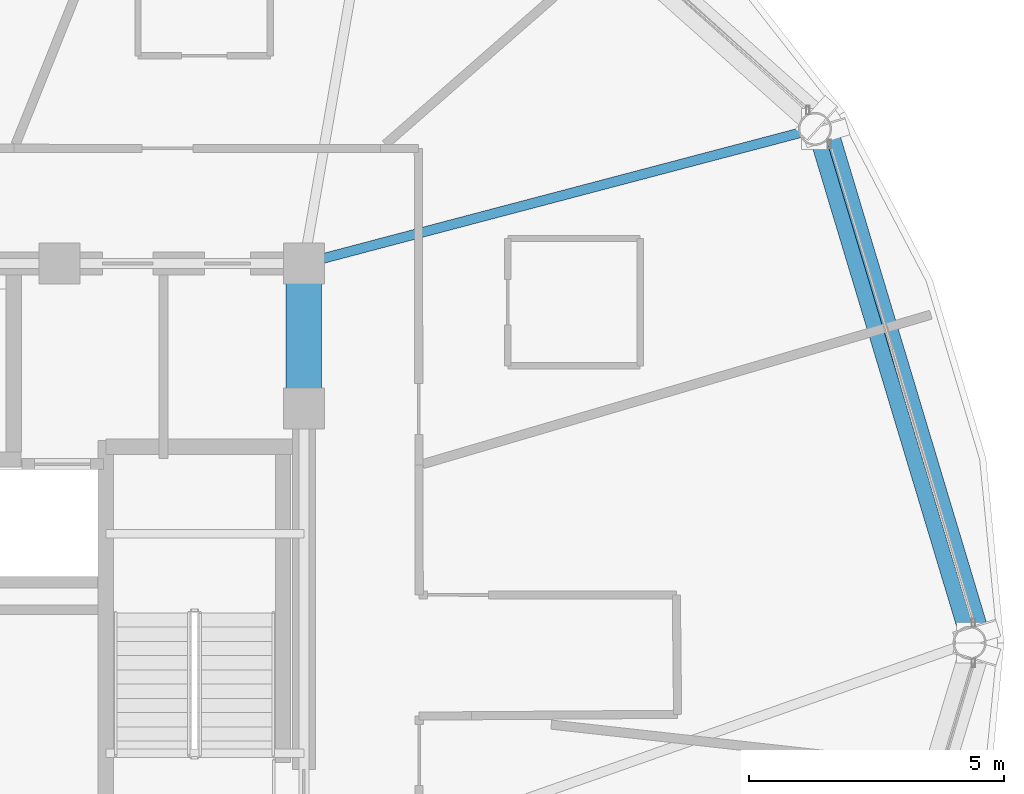
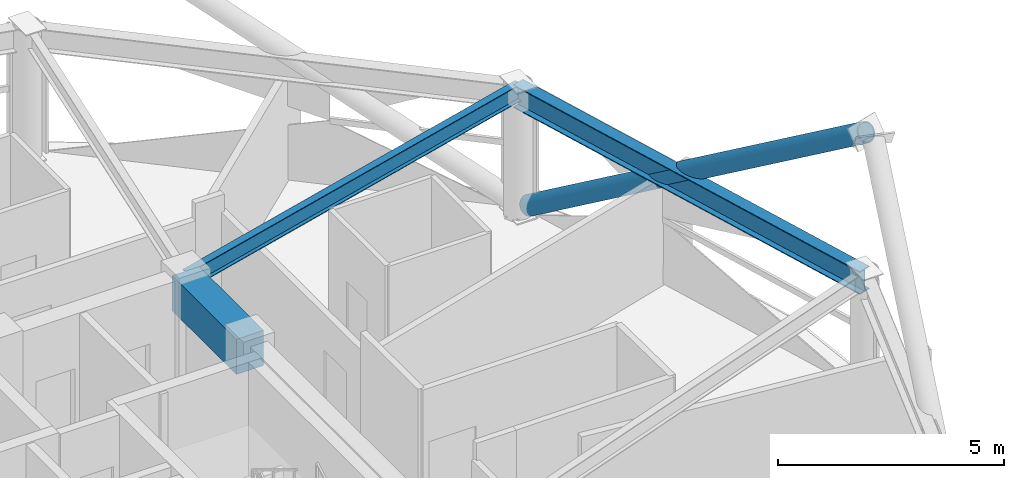
# One storey, part 15 of 30: 3 beams, 1 member.
"""IFC4 building model written with IfcOpenShell, lengths in metres."""

import ifcopenshell
import ifcopenshell.guid

model = None  # the IFC model being written
_history = None  # IfcOwnerHistory: only IFC2X3 demands one
_inside = {}  # id of a spatial element -> (the spatial element, [elements in it])
_under = {}  # id of a project, library or spatial element -> (it, [spatial elements below it])
_declared = {}  # id of a project -> (the project, [libraries it declares])
_typed = {}  # id of a type object -> (the type object, [elements of that type])
_made_of = {}  # id of a material, layer set ... -> (it, [elements and type objects made of it])


def new_model(schema):
    """Start an empty IFC model of exactly this schema.

    Asked for "IFC4X3", IfcOpenShell would pick the latest addendum, in which some entities
    have other attributes; the version numbers below select the first issue.
    IFC2X3 requires an IfcOwnerHistory on every rooted entity: one is made here for all.
    """
    global model, _history
    if schema == "IFC4X3":
        model = ifcopenshell.file(schema_version=(4, 3, 0, 0))
    else:
        model = ifcopenshell.file(schema=schema)
    _inside.clear()
    _under.clear()
    _declared.clear()
    _typed.clear()
    _made_of.clear()
    _history = None
    if model.schema == "IFC2X3":
        org = make("IfcOrganization", Name="unknown")
        user = make(
            "IfcPersonAndOrganization",
            ThePerson=make("IfcPerson", FamilyName="unknown"),
            TheOrganization=org,
        )
        app = make(
            "IfcApplication",
            ApplicationDeveloper=org,
            Version="unknown",
            ApplicationFullName="unknown",
            ApplicationIdentifier="unknown",
        )
        _history = make(
            "IfcOwnerHistory",
            OwningUser=user,
            OwningApplication=app,
            ChangeAction="ADDED",
            CreationDate=0,
        )
    return model


def make(cls, **values):
    """One entity of the class cls with the attributes given. An attribute that is None is left unset."""
    return model.create_entity(
        cls, **{name: value for name, value in values.items() if value is not None}
    )


def rooted(cls, **values):
    """An entity with a GlobalId (a new one), such as an element, a storey or a relation."""
    return make(cls, GlobalId=ifcopenshell.guid.new(), OwnerHistory=_history, **values)


def si_unit(unit_type, name, prefix=None):
    """IfcSIUnit, for example si_unit("LENGTHUNIT", "METRE", prefix="MILLI")."""
    return make("IfcSIUnit", UnitType=unit_type, Prefix=prefix, Name=name)


def assignment(units):
    """IfcUnitAssignment: the units of a project."""
    return None if units is None else make("IfcUnitAssignment", Units=units)


def point(xyz):
    """IfcCartesianPoint."""
    return None if xyz is None else make("IfcCartesianPoint", Coordinates=xyz)


def direction(xyz):
    """IfcDirection."""
    return None if xyz is None else make("IfcDirection", DirectionRatios=xyz)


def frame(location, z_axis=None, x_axis=None):
    """IfcAxis2Placement3D, a coordinate frame: its origin and axes. An axis left out is left unset."""
    return make(
        "IfcAxis2Placement3D",
        Location=point(location),
        Axis=direction(z_axis),
        RefDirection=direction(x_axis),
    )


def frame_2d(location, x_axis=None):
    """IfcAxis2Placement2D, a coordinate frame in the plane: its origin and x axis."""
    return make(
        "IfcAxis2Placement2D", Location=point(location), RefDirection=direction(x_axis)
    )


def origin():
    """The frame at (0, 0, 0) with its axes left unset."""
    return frame((0.0, 0.0, 0.0))


def origin_2d():
    """The frame at (0, 0) in the plane with its x axis left unset."""
    return frame_2d((0.0, 0.0))


def place(relative_to, where):
    """IfcLocalPlacement: puts the frame where relative to a parent placement (None: the world)."""
    return make(
        "IfcLocalPlacement", PlacementRelTo=relative_to, RelativePlacement=where
    )


def context(
    kind, dimensions, precision=None, world=None, true_north=None, identifier=None
):
    """IfcGeometricRepresentationContext, for example the 3D "Model" context."""
    return make(
        "IfcGeometricRepresentationContext",
        ContextIdentifier=identifier,
        ContextType=kind,
        CoordinateSpaceDimension=dimensions,
        Precision=precision,
        WorldCoordinateSystem=world,
        TrueNorth=true_north,
    )


def subcontext(parent, identifier, kind, view, scale=None):
    """IfcGeometricRepresentationSubContext, for example "Body" below "Model"."""
    return make(
        "IfcGeometricRepresentationSubContext",
        ContextIdentifier=identifier,
        ContextType=kind,
        ParentContext=parent,
        TargetScale=scale,
        TargetView=view,
    )


def project(units=None, contexts=None):
    """IfcProject with its units and contexts."""
    return rooted(
        "IfcProject",
        Name="project",
        RepresentationContexts=contexts,
        UnitsInContext=assignment(units),
    )


def spatial(cls, under=None, at=None, **own):
    """A site, building, storey or space (cls), placed at a placement, below another one or the project."""
    s = rooted(cls, ObjectPlacement=at, **own)
    if under is not None:
        _under.setdefault(under.id(), (under, []))[1].append(s)
    return s


def profile(cls, at=None, kind="AREA", **sizes):
    """A parametric profile (cls). Its sizes go by their IFC names, for example OverallWidth=200.0."""
    return make(cls, ProfileType=kind, Position=at, **sizes)


def rectangle(**sizes):
    """IfcRectangleProfileDef."""
    return profile("IfcRectangleProfileDef", **sizes)


def hollow_circle(**sizes):
    """IfcCircleHollowProfileDef."""
    return profile("IfcCircleHollowProfileDef", **sizes)


def i_section(**sizes):
    """IfcIShapeProfileDef."""
    return profile("IfcIShapeProfileDef", **sizes)


def extrude(swept, where, along, depth):
    """IfcExtrudedAreaSolid: the profile swept, set in the frame where, extruded along a direction by depth."""
    return make(
        "IfcExtrudedAreaSolid",
        SweptArea=swept,
        Position=where,
        ExtrudedDirection=direction(along),
        Depth=depth,
    )


def shape(context_of_items, identifier, shape_type, items):
    """IfcShapeRepresentation: the items that make up one representation, for example the "Body"."""
    return make(
        "IfcShapeRepresentation",
        ContextOfItems=context_of_items,
        RepresentationIdentifier=identifier,
        RepresentationType=shape_type,
        Items=items,
    )


def material(Name=None, Category=None):
    """IfcMaterial."""
    return make("IfcMaterial", Name=Name, Category=Category)


def material_profile(
    of_material, cross_section, Name=None, Category=None, Priority=None
):
    """IfcMaterialProfile: a cross section and its material."""
    return make(
        "IfcMaterialProfile",
        Name=Name,
        Material=of_material,
        Profile=cross_section,
        Priority=Priority,
        Category=Category,
    )


def profile_set(profiles, Name=None, composite=None):
    """IfcMaterialProfileSet."""
    return make(
        "IfcMaterialProfileSet",
        Name=Name,
        MaterialProfiles=profiles,
        CompositeProfile=composite,
    )


def made_of(thing, what):
    """Note that an element or type object is made of a material, layer set ...; save() writes the relation."""
    if what is not None:
        _made_of.setdefault(what.id(), (what, []))[1].append(thing)
    return thing


def type_object(cls, material=None, **own):
    """A type object (cls), such as IfcWallType, which elements share."""
    return made_of(rooted(cls, **own), material)


def element(
    cls,
    number,
    at=None,
    inside=None,
    cuts=None,
    type_object=None,
    material=None,
    context=None,
    identifier="Body",
    shape_type=None,
    held_by="IfcProductDefinitionShape",
    body=None,
    shapes=None,
    **own,
):
    """One element of the class cls, such as IfcWall. Its Tag is "e" and its number.

    at: its placement. inside: the storey or other place that contains it. cuts: it is an
    opening in that element (IfcRelVoidsElement). A single representation is given by context,
    identifier, shape_type and body (its items); several are given by shapes. held_by: the class
    of the entity that holds the representations. save() writes the other relations.
    """
    e = rooted(cls, Tag="e%d" % number, ObjectPlacement=at, **own)
    if body is not None:
        shapes = [shape(context, identifier, shape_type, body)]
    if shapes is not None:
        e.Representation = make(held_by, Representations=shapes)
    if inside is not None:
        _inside.setdefault(inside.id(), (inside, []))[1].append(e)
    if cuts is not None:
        rooted(
            "IfcRelVoidsElement", RelatingBuildingElement=cuts, RelatedOpeningElement=e
        )
    if type_object is not None:
        _typed.setdefault(type_object.id(), (type_object, []))[1].append(e)
    return made_of(e, material)


def aggregate(whole, parts):
    """IfcRelAggregates: a whole, such as a stair, and the parts it consists of."""
    return rooted("IfcRelAggregates", RelatingObject=whole, RelatedObjects=parts)


def save(model, path):
    """Write the relations noted so far, then the file.

    IfcRelAggregates (storeys below a building ...), IfcRelContainedInSpatialStructure (elements
    in a storey), IfcRelDefinesByType, IfcRelAssociatesMaterial and IfcRelDeclares: one each for
    every whole, place, type object, material and project.
    """
    for whole, parts in _under.values():
        aggregate(whole, parts)
    for where, things in _inside.values():
        rooted(
            "IfcRelContainedInSpatialStructure",
            RelatedElements=things,
            RelatingStructure=where,
        )
    for kind, things in _typed.values():
        rooted("IfcRelDefinesByType", RelatedObjects=things, RelatingType=kind)
    for what, things in _made_of.values():
        rooted("IfcRelAssociatesMaterial", RelatedObjects=things, RelatingMaterial=what)
    for by, libraries in _declared.values():
        rooted("IfcRelDeclares", RelatingContext=by, RelatedDefinitions=libraries)
    model.write(path)


model = new_model("IFC4")

# Units and contexts
model_context = context("Model", 3, precision=1e-05, world=origin(), true_north=direction((0.0, 1.0)))
body_context = subcontext(model_context, "Body", "Model", "MODEL_VIEW")
ifc_project = project(units=[si_unit("LENGTHUNIT", "METRE"), si_unit("AREAUNIT", "SQUARE_METRE"), si_unit("VOLUMEUNIT", "CUBIC_METRE"), si_unit("PLANEANGLEUNIT", "RADIAN"), si_unit("MASSUNIT", "GRAM", prefix="KILO")], contexts=[model_context])

# Site, building, storey
site_placement = place(None, origin())
site = spatial("IfcSite", under=ifc_project, at=site_placement, CompositionType="ELEMENT")
building_placement = place(site_placement, origin())
building = spatial("IfcBuilding", under=site, at=building_placement, Name="Vantalir Tower", CompositionType="ELEMENT")
storey_placement = place(building_placement, frame((0.0, 0.0, 189.89990234375)))
storey = spatial("IfcBuildingStorey", under=building, at=storey_placement, Name="L47", CompositionType="ELEMENT", Elevation=189.89990234375)

# Beams
ifc_material_1 = material(Name="Concrete C60/75", Category="concrete")
ifc_material_profile_1 = material_profile(ifc_material_1, rectangle(XDim=0.699951171875, YDim=0.949951171875, at=origin_2d()), Name="Concrete C60/75")
ifc_profile_set_1 = profile_set([ifc_material_profile_1], Name="Concrete C60/75")
beam_type_1 = type_object("IfcBeamType", Name="BM-CB-700x950", PredefinedType="USERDEFINED", material=ifc_profile_set_1)
beam_1_placement = place(storey_placement, frame((41.10009765625, 29.60009765625, 3.09521484375), z_axis=(0.0, 1.0, 0.0), x_axis=(-1.0, 0.0, 0.0)))
element("IfcBeam", 1, at=beam_1_placement, inside=storey, type_object=beam_type_1, Name="L47 Core Coupling Girder 07", ObjectType="GIRDER", PredefinedType="USERDEFINED", context=body_context, shape_type="SweptSolid", body=[
    extrude(rectangle(XDim=0.699951171875, YDim=0.949951171875, at=origin_2d()), origin(), (0.0, 0.0, 1.0), 2.849853515625),
])
ifc_material_2 = material(Name="Steel S355", Category="steel")
ifc_material_profile_2 = material_profile(ifc_material_2, i_section(OverallWidth=0.19189453125, OverallDepth=0.462890625, WebThickness=0.010498046875, FlangeThickness=0.017578125, at=origin_2d()), Name="Steel S355")
ifc_profile_set_2 = profile_set([ifc_material_profile_2], Name="Steel S355")
beam_type_2 = type_object("IfcBeamType", Name="BM-RB-457x191", PredefinedType="BEAM", material=ifc_profile_set_2)
beam_2_placement = place(storey_placement, frame((51.137939453125, 35.093994140625, 3.338134765625), z_axis=(-0.967015102182, -0.254719045522, 0.0), x_axis=(0.254719045522, -0.967015102182, 0.0)))
element("IfcBeam", 2, at=beam_2_placement, inside=storey, type_object=beam_type_2, Name="L47 Radial Floor Beam 02", PredefinedType="BEAM", context=body_context, shape_type="SweptSolid", body=[
    extrude(i_section(OverallWidth=0.19189453125, OverallDepth=0.462890625, WebThickness=0.010498046875, FlangeThickness=0.017578125, at=origin_2d()), origin(), (0.0, 0.0, 1.0), 10.380126953125),
])
ifc_material_3 = material(Name="Steel S460", Category="steel")
ifc_material_profile_3 = material_profile(ifc_material_3, i_section(OverallWidth=0.306884765625, OverallDepth=0.6201171875, WebThickness=0.01416015625, FlangeThickness=0.023681640625, at=origin_2d()), Name="Steel S460")
ifc_profile_set_3 = profile_set([ifc_material_profile_3], Name="Steel S460")
beam_type_3 = type_object("IfcBeamType", Name="BM-RG-610x305", PredefinedType="USERDEFINED", material=ifc_profile_set_3)
beam_3_placement = place(storey_placement, frame((54.176025390625, 25.0, 3.260009765625), z_axis=(-0.288208317462, 0.957567734286, 0.0), x_axis=(-0.957567734286, -0.288208317462, 0.0)))
element("IfcBeam", 3, at=beam_3_placement, inside=storey, type_object=beam_type_3, Name="L47 Circumferential Ring Girder 01", ObjectType="GIRDER", PredefinedType="USERDEFINED", context=body_context, shape_type="SweptSolid", body=[
    extrude(i_section(OverallWidth=0.306884765625, OverallDepth=0.6201171875, WebThickness=0.01416015625, FlangeThickness=0.023681640625, at=origin_2d()), origin(), (0.0, 0.0, 1.0), 10.541259765625),
])

# Member
ifc_material_profile_4 = material_profile(ifc_material_3, hollow_circle(Radius=0.25, WallThickness=0.031982421875, at=origin_2d()), Name="Steel S460")
ifc_profile_set_4 = profile_set([ifc_material_profile_4], Name="Steel S460")
member_type = type_object("IfcMemberType", Name="MEM-DB-500x32", PredefinedType="BRACE", material=ifc_profile_set_4)
member_placement = place(storey_placement, frame((51.35595703125, 35.013916015625, 0.203125), z_axis=(0.238787592066, -0.794512876506, 0.558327659123), x_axis=(0.957682274061, 0.287827486437, 0.0)))
element("IfcMember", 4, at=member_placement, inside=storey, type_object=member_type, Name="L47 Perimeter S460 Diagrid Brace R04R", PredefinedType="BRACE", context=body_context, shape_type="SweptSolid", body=[
    extrude(hollow_circle(Radius=0.25, WallThickness=0.031982421875, at=origin_2d()), origin(), (0.0, 0.0, 1.0), 12.383544921875),
])

save(model, "model.ifc")
